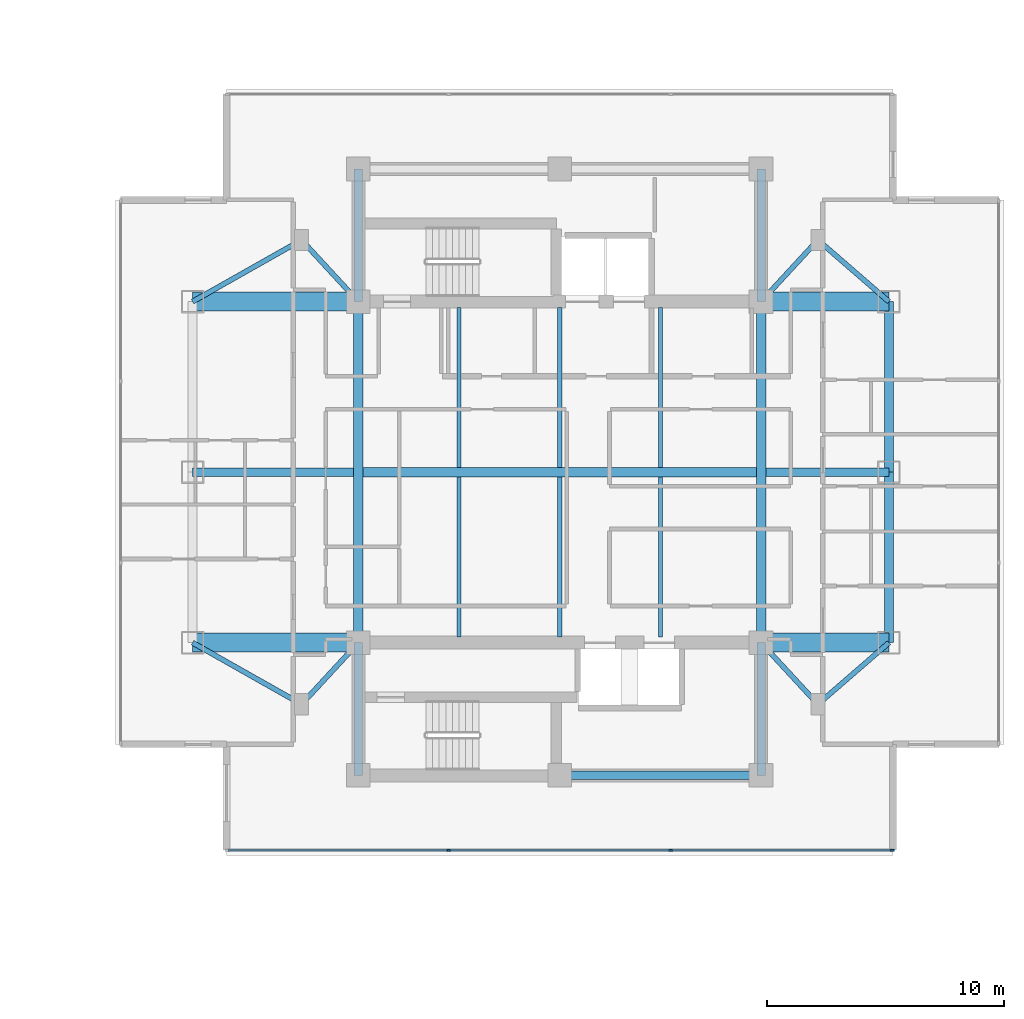
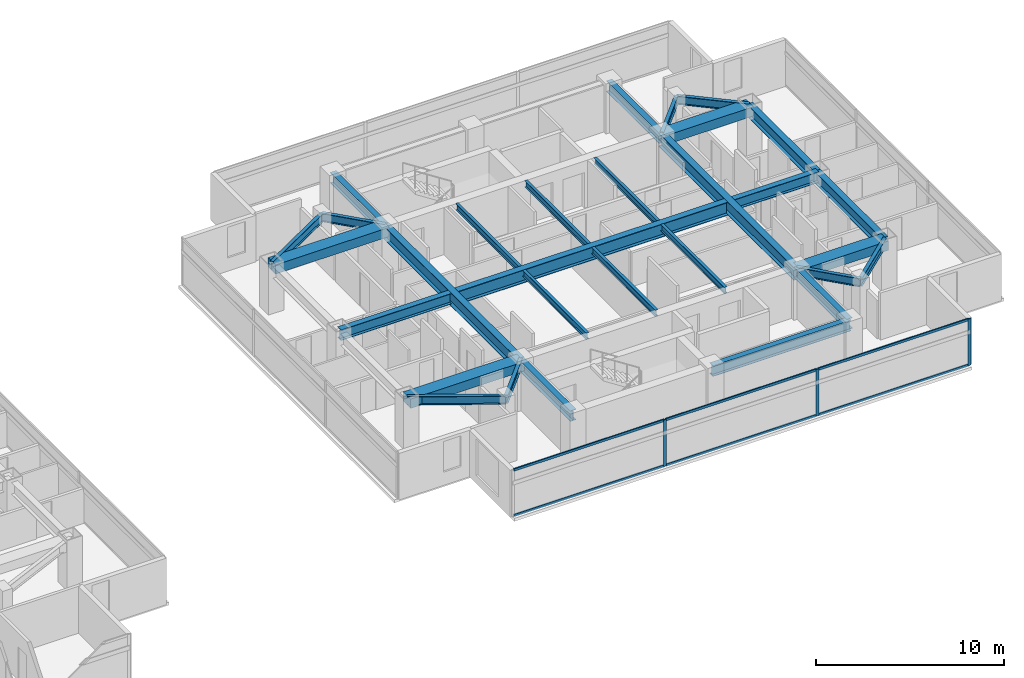
# One storey, part 8 of 25: 30 beams, 9 members, 1 element without a shape of its own.
"""IFC4 building model written with IfcOpenShell, lengths in metres."""

import ifcopenshell
import ifcopenshell.guid

model = None  # the IFC model being written
_history = None  # IfcOwnerHistory: only IFC2X3 demands one
_inside = {}  # id of a spatial element -> (the spatial element, [elements in it])
_under = {}  # id of a project, library or spatial element -> (it, [spatial elements below it])
_declared = {}  # id of a project -> (the project, [libraries it declares])
_typed = {}  # id of a type object -> (the type object, [elements of that type])
_made_of = {}  # id of a material, layer set ... -> (it, [elements and type objects made of it])


def new_model(schema):
    """Start an empty IFC model of exactly this schema.

    Asked for "IFC4X3", IfcOpenShell would pick the latest addendum, in which some entities
    have other attributes; the version numbers below select the first issue.
    IFC2X3 requires an IfcOwnerHistory on every rooted entity: one is made here for all.
    """
    global model, _history
    if schema == "IFC4X3":
        model = ifcopenshell.file(schema_version=(4, 3, 0, 0))
    else:
        model = ifcopenshell.file(schema=schema)
    _inside.clear()
    _under.clear()
    _declared.clear()
    _typed.clear()
    _made_of.clear()
    _history = None
    if model.schema == "IFC2X3":
        org = make("IfcOrganization", Name="unknown")
        user = make(
            "IfcPersonAndOrganization",
            ThePerson=make("IfcPerson", FamilyName="unknown"),
            TheOrganization=org,
        )
        app = make(
            "IfcApplication",
            ApplicationDeveloper=org,
            Version="unknown",
            ApplicationFullName="unknown",
            ApplicationIdentifier="unknown",
        )
        _history = make(
            "IfcOwnerHistory",
            OwningUser=user,
            OwningApplication=app,
            ChangeAction="ADDED",
            CreationDate=0,
        )
    return model


def make(cls, **values):
    """One entity of the class cls with the attributes given. An attribute that is None is left unset."""
    return model.create_entity(
        cls, **{name: value for name, value in values.items() if value is not None}
    )


def rooted(cls, **values):
    """An entity with a GlobalId (a new one), such as an element, a storey or a relation."""
    return make(cls, GlobalId=ifcopenshell.guid.new(), OwnerHistory=_history, **values)


def si_unit(unit_type, name, prefix=None):
    """IfcSIUnit, for example si_unit("LENGTHUNIT", "METRE", prefix="MILLI")."""
    return make("IfcSIUnit", UnitType=unit_type, Prefix=prefix, Name=name)


def assignment(units):
    """IfcUnitAssignment: the units of a project."""
    return None if units is None else make("IfcUnitAssignment", Units=units)


def point(xyz):
    """IfcCartesianPoint."""
    return None if xyz is None else make("IfcCartesianPoint", Coordinates=xyz)


def direction(xyz):
    """IfcDirection."""
    return None if xyz is None else make("IfcDirection", DirectionRatios=xyz)


def frame(location, z_axis=None, x_axis=None):
    """IfcAxis2Placement3D, a coordinate frame: its origin and axes. An axis left out is left unset."""
    return make(
        "IfcAxis2Placement3D",
        Location=point(location),
        Axis=direction(z_axis),
        RefDirection=direction(x_axis),
    )


def frame_2d(location, x_axis=None):
    """IfcAxis2Placement2D, a coordinate frame in the plane: its origin and x axis."""
    return make(
        "IfcAxis2Placement2D", Location=point(location), RefDirection=direction(x_axis)
    )


def origin():
    """The frame at (0, 0, 0) with its axes left unset."""
    return frame((0.0, 0.0, 0.0))


def origin_2d():
    """The frame at (0, 0) in the plane with its x axis left unset."""
    return frame_2d((0.0, 0.0))


def place(relative_to, where):
    """IfcLocalPlacement: puts the frame where relative to a parent placement (None: the world)."""
    return make(
        "IfcLocalPlacement", PlacementRelTo=relative_to, RelativePlacement=where
    )


def context(
    kind, dimensions, precision=None, world=None, true_north=None, identifier=None
):
    """IfcGeometricRepresentationContext, for example the 3D "Model" context."""
    return make(
        "IfcGeometricRepresentationContext",
        ContextIdentifier=identifier,
        ContextType=kind,
        CoordinateSpaceDimension=dimensions,
        Precision=precision,
        WorldCoordinateSystem=world,
        TrueNorth=true_north,
    )


def subcontext(parent, identifier, kind, view, scale=None):
    """IfcGeometricRepresentationSubContext, for example "Body" below "Model"."""
    return make(
        "IfcGeometricRepresentationSubContext",
        ContextIdentifier=identifier,
        ContextType=kind,
        ParentContext=parent,
        TargetScale=scale,
        TargetView=view,
    )


def project(units=None, contexts=None):
    """IfcProject with its units and contexts."""
    return rooted(
        "IfcProject",
        Name="project",
        RepresentationContexts=contexts,
        UnitsInContext=assignment(units),
    )


def spatial(cls, under=None, at=None, **own):
    """A site, building, storey or space (cls), placed at a placement, below another one or the project."""
    s = rooted(cls, ObjectPlacement=at, **own)
    if under is not None:
        _under.setdefault(under.id(), (under, []))[1].append(s)
    return s


def profile(cls, at=None, kind="AREA", **sizes):
    """A parametric profile (cls). Its sizes go by their IFC names, for example OverallWidth=200.0."""
    return make(cls, ProfileType=kind, Position=at, **sizes)


def rectangle(**sizes):
    """IfcRectangleProfileDef."""
    return profile("IfcRectangleProfileDef", **sizes)


def i_section(**sizes):
    """IfcIShapeProfileDef."""
    return profile("IfcIShapeProfileDef", **sizes)


def extrude(swept, where, along, depth):
    """IfcExtrudedAreaSolid: the profile swept, set in the frame where, extruded along a direction by depth."""
    return make(
        "IfcExtrudedAreaSolid",
        SweptArea=swept,
        Position=where,
        ExtrudedDirection=direction(along),
        Depth=depth,
    )


def shape(context_of_items, identifier, shape_type, items):
    """IfcShapeRepresentation: the items that make up one representation, for example the "Body"."""
    return make(
        "IfcShapeRepresentation",
        ContextOfItems=context_of_items,
        RepresentationIdentifier=identifier,
        RepresentationType=shape_type,
        Items=items,
    )


def material(Name=None, Category=None):
    """IfcMaterial."""
    return make("IfcMaterial", Name=Name, Category=Category)


def material_profile(
    of_material, cross_section, Name=None, Category=None, Priority=None
):
    """IfcMaterialProfile: a cross section and its material."""
    return make(
        "IfcMaterialProfile",
        Name=Name,
        Material=of_material,
        Profile=cross_section,
        Priority=Priority,
        Category=Category,
    )


def profile_set(profiles, Name=None, composite=None):
    """IfcMaterialProfileSet."""
    return make(
        "IfcMaterialProfileSet",
        Name=Name,
        MaterialProfiles=profiles,
        CompositeProfile=composite,
    )


def made_of(thing, what):
    """Note that an element or type object is made of a material, layer set ...; save() writes the relation."""
    if what is not None:
        _made_of.setdefault(what.id(), (what, []))[1].append(thing)
    return thing


def type_object(cls, material=None, **own):
    """A type object (cls), such as IfcWallType, which elements share."""
    return made_of(rooted(cls, **own), material)


def element(
    cls,
    number,
    at=None,
    inside=None,
    cuts=None,
    type_object=None,
    material=None,
    context=None,
    identifier="Body",
    shape_type=None,
    held_by="IfcProductDefinitionShape",
    body=None,
    shapes=None,
    **own,
):
    """One element of the class cls, such as IfcWall. Its Tag is "e" and its number.

    at: its placement. inside: the storey or other place that contains it. cuts: it is an
    opening in that element (IfcRelVoidsElement). A single representation is given by context,
    identifier, shape_type and body (its items); several are given by shapes. held_by: the class
    of the entity that holds the representations. save() writes the other relations.
    """
    e = rooted(cls, Tag="e%d" % number, ObjectPlacement=at, **own)
    if body is not None:
        shapes = [shape(context, identifier, shape_type, body)]
    if shapes is not None:
        e.Representation = make(held_by, Representations=shapes)
    if inside is not None:
        _inside.setdefault(inside.id(), (inside, []))[1].append(e)
    if cuts is not None:
        rooted(
            "IfcRelVoidsElement", RelatingBuildingElement=cuts, RelatedOpeningElement=e
        )
    if type_object is not None:
        _typed.setdefault(type_object.id(), (type_object, []))[1].append(e)
    return made_of(e, material)


def aggregate(whole, parts):
    """IfcRelAggregates: a whole, such as a stair, and the parts it consists of."""
    return rooted("IfcRelAggregates", RelatingObject=whole, RelatedObjects=parts)


def save(model, path):
    """Write the relations noted so far, then the file.

    IfcRelAggregates (storeys below a building ...), IfcRelContainedInSpatialStructure (elements
    in a storey), IfcRelDefinesByType, IfcRelAssociatesMaterial and IfcRelDeclares: one each for
    every whole, place, type object, material and project.
    """
    for whole, parts in _under.values():
        aggregate(whole, parts)
    for where, things in _inside.values():
        rooted(
            "IfcRelContainedInSpatialStructure",
            RelatedElements=things,
            RelatingStructure=where,
        )
    for kind, things in _typed.values():
        rooted("IfcRelDefinesByType", RelatedObjects=things, RelatingType=kind)
    for what, things in _made_of.values():
        rooted("IfcRelAssociatesMaterial", RelatedObjects=things, RelatingMaterial=what)
    for by, libraries in _declared.values():
        rooted("IfcRelDeclares", RelatingContext=by, RelatedDefinitions=libraries)
    model.write(path)


model = new_model("IFC4")

# Units and contexts
model_context = context("Model", 3, precision=1e-05, world=origin(), true_north=direction((0.0, 1.0)))
body_context = subcontext(model_context, "Body", "Model", "MODEL_VIEW")
ifc_project = project(units=[si_unit("LENGTHUNIT", "METRE"), si_unit("AREAUNIT", "SQUARE_METRE"), si_unit("VOLUMEUNIT", "CUBIC_METRE"), si_unit("PLANEANGLEUNIT", "RADIAN"), si_unit("MASSUNIT", "GRAM", prefix="KILO")], contexts=[model_context])

# Site, building, storey
site_placement = place(None, origin())
site = spatial("IfcSite", under=ifc_project, at=site_placement, CompositionType="ELEMENT")
building_placement = place(site_placement, origin())
building = spatial("IfcBuilding", under=site, at=building_placement, Name="Mirazonda Arch Towers", CompositionType="ELEMENT")
storey_placement = place(building_placement, frame((0.0, 0.0, 180.39990234375)))
storey = spatial("IfcBuildingStorey", under=building, at=storey_placement, Name="L51", CompositionType="ELEMENT", Elevation=180.39990234375)

# Beams
ifc_material_1 = material(Name="Steel ASTM A992 Grade 50", Category="steel")
ifc_material_profile_1 = material_profile(ifc_material_1, i_section(OverallWidth=0.381103515625, OverallDepth=0.77294921875, WebThickness=0.0166015625, FlangeThickness=0.027099609375, at=origin_2d()), Name="W30X173")
ifc_profile_set_1 = profile_set([ifc_material_profile_1], Name="Steel ASTM A992 Grade 50")
beam_type_1 = type_object("IfcBeamType", Name="BM-EXT-W30X173", PredefinedType="USERDEFINED", material=ifc_profile_set_1)
for number, where, z_axis, x_axis, name in (
    (1, (90.39990234375, 20.800048828125, 2.66357421875), (0.0, 1.0, 0.0), (-1.0, 0.0, 0.0), "L51 Floor Beam BM-T2-L51-NS-E-20"),
    (2, (90.39990234375, 28.0, 2.66357421875), (0.0, 1.0, 0.0), (-1.0, 0.0, 0.0), "L51 Floor Beam BM-T2-L51-NS-E-28"),
):
    element("IfcBeam", number, at=place(storey_placement, frame(where, z_axis=z_axis, x_axis=x_axis)), inside=storey, type_object=beam_type_1, Name=name, ObjectType="GIRDER", PredefinedType="USERDEFINED", context=body_context, shape_type="SweptSolid", body=[
        extrude(i_section(OverallWidth=0.381103515625, OverallDepth=0.77294921875, WebThickness=0.0166015625, FlangeThickness=0.027099609375, at=origin_2d()), origin(), (0.0, 0.0, 1.0), 7.199951171875),
    ])
ifc_material_profile_2 = material_profile(ifc_material_1, i_section(OverallWidth=0.180908203125, OverallDepth=0.4169921875, WebThickness=0.010986328125, FlangeThickness=0.018310546875, at=origin_2d()), Name="W16X57")
ifc_profile_set_2 = profile_set([ifc_material_profile_2], Name="Steel ASTM A992 Grade 50")
beam_type_2 = type_object("IfcBeamType", Name="BM-INT-W16X57", PredefinedType="JOIST", material=ifc_profile_set_2)
for number, where, z_axis, x_axis, name in (
    (3, (72.25, 21.0400390625, 2.841552734375), (0.0, 1.0, 0.0), (-1.0, 0.0, 0.0), "L51 Floor Beam BM-T2-L51-J-722-20"),
    (4, (72.25, 28.196044921875, 2.841552734375), (0.0, 1.0, 0.0), (-1.0, 0.0, 0.0), "L51 Floor Beam BM-T2-L51-J-722-28"),
    (5, (76.5, 21.0400390625, 2.841552734375), (0.0, 1.0, 0.0), (-1.0, 0.0, 0.0), "L51 Floor Beam BM-T2-L51-J-765-20"),
    (6, (76.5, 28.196044921875, 2.841552734375), (0.0, 1.0, 0.0), (-1.0, 0.0, 0.0), "L51 Floor Beam BM-T2-L51-J-765-28"),
    (7, (80.75, 21.0400390625, 2.841552734375), (0.0, 1.0, 0.0), (-1.0, 0.0, 0.0), "L51 Floor Beam BM-T2-L51-J-807-20"),
    (8, (80.75, 28.196044921875, 2.841552734375), (0.0, 1.0, 0.0), (-1.0, 0.0, 0.0), "L51 Floor Beam BM-T2-L51-J-807-28"),
):
    element("IfcBeam", number, at=place(storey_placement, frame(where, z_axis=z_axis, x_axis=x_axis)), inside=storey, type_object=beam_type_2, Name=name, PredefinedType="JOIST", context=body_context, shape_type="SweptSolid", body=[
        extrude(i_section(OverallWidth=0.180908203125, OverallDepth=0.4169921875, WebThickness=0.010986328125, FlangeThickness=0.018310546875, at=origin_2d()), origin(), (0.0, 0.0, 1.0), 6.763916015625),
    ])
ifc_material_profile_3 = material_profile(ifc_material_1, i_section(OverallWidth=0.214111328125, OverallDepth=0.549072265625, WebThickness=0.0146484375, FlangeThickness=0.023681640625, at=origin_2d()), Name="W21X93")
ifc_profile_set_3 = profile_set([ifc_material_profile_3], Name="Steel ASTM A992 Grade 50")
beam_type_3 = type_object("IfcBeamType", Name="BM-INT-W21X93", PredefinedType="BEAM", material=ifc_profile_set_3)
beam_1_placement = place(storey_placement, frame((65.60009765625, 18.199951171875, 2.775634765625), z_axis=(0.678251444854, 0.734829897019, 0.0), x_axis=(-0.734829897019, 0.678251444854, 0.0)))
element("IfcBeam", 9, at=beam_1_placement, inside=storey, type_object=beam_type_3, Name="L51 Floor Beam BM-T2-L51-PL-SW1", PredefinedType="BEAM", context=body_context, shape_type="SweptSolid", body=[
    extrude(i_section(OverallWidth=0.214111328125, OverallDepth=0.549072265625, WebThickness=0.0146484375, FlangeThickness=0.023681640625, at=origin_2d()), origin(), (0.0, 0.0, 1.0), 3.538330078125),
])
beam_2_placement = place(storey_placement, frame((65.60009765625, 18.199951171875, 2.775634765625), z_axis=(-0.870559396632, 0.492063346467, 0.0), x_axis=(-0.492063346467, -0.870559396632, 0.0)))
element("IfcBeam", 10, at=beam_2_placement, inside=storey, type_object=beam_type_3, Name="L51 Floor Beam BM-T2-L51-PL-SW2", PredefinedType="BEAM", context=body_context, shape_type="SweptSolid", body=[
    extrude(i_section(OverallWidth=0.214111328125, OverallDepth=0.549072265625, WebThickness=0.0146484375, FlangeThickness=0.023681640625, at=origin_2d()), origin(), (0.0, 0.0, 1.0), 5.2841796875),
])
beam_3_placement = place(storey_placement, frame((87.39990234375, 18.199951171875, 2.775634765625), z_axis=(-0.678251444854, 0.734829897019, 0.0), x_axis=(-0.734829897019, -0.678251444854, 0.0)))
element("IfcBeam", 11, at=beam_3_placement, inside=storey, type_object=beam_type_3, Name="L51 Floor Beam BM-T2-L51-PL-SE1", PredefinedType="BEAM", context=body_context, shape_type="SweptSolid", body=[
    extrude(i_section(OverallWidth=0.214111328125, OverallDepth=0.549072265625, WebThickness=0.0146484375, FlangeThickness=0.023681640625, at=origin_2d()), origin(), (0.0, 0.0, 1.0), 3.538330078125),
])
beam_4_placement = place(storey_placement, frame((87.39990234375, 18.199951171875, 2.775634765625), z_axis=(0.755676908098, 0.654944585876, 0.0), x_axis=(-0.654944585876, 0.755676908098, 0.0)))
element("IfcBeam", 12, at=beam_4_placement, inside=storey, type_object=beam_type_3, Name="L51 Floor Beam BM-T2-L51-PL-SE2", PredefinedType="BEAM", context=body_context, shape_type="SweptSolid", body=[
    extrude(i_section(OverallWidth=0.214111328125, OverallDepth=0.549072265625, WebThickness=0.0146484375, FlangeThickness=0.023681640625, at=origin_2d()), origin(), (0.0, 0.0, 1.0), 3.969970703125),
])
beam_5_placement = place(storey_placement, frame((65.60009765625, 37.800048828125, 2.775634765625), z_axis=(0.678251444854, -0.734829897019, 0.0), x_axis=(0.734829897019, 0.678251444854, 0.0)))
element("IfcBeam", 13, at=beam_5_placement, inside=storey, type_object=beam_type_3, Name="L51 Floor Beam BM-T2-L51-PL-NW1", PredefinedType="BEAM", context=body_context, shape_type="SweptSolid", body=[
    extrude(i_section(OverallWidth=0.214111328125, OverallDepth=0.549072265625, WebThickness=0.0146484375, FlangeThickness=0.023681640625, at=origin_2d()), origin(), (0.0, 0.0, 1.0), 3.538330078125),
])
beam_6_placement = place(storey_placement, frame((65.60009765625, 37.800048828125, 2.775634765625), z_axis=(-0.870559396632, -0.492063346467, 0.0), x_axis=(0.492063346467, -0.870559396632, 0.0)))
element("IfcBeam", 14, at=beam_6_placement, inside=storey, type_object=beam_type_3, Name="L51 Floor Beam BM-T2-L51-PL-NW2", PredefinedType="BEAM", context=body_context, shape_type="SweptSolid", body=[
    extrude(i_section(OverallWidth=0.214111328125, OverallDepth=0.549072265625, WebThickness=0.0146484375, FlangeThickness=0.023681640625, at=origin_2d()), origin(), (0.0, 0.0, 1.0), 5.2841796875),
])
beam_7_placement = place(storey_placement, frame((87.39990234375, 37.800048828125, 2.775634765625), z_axis=(-0.678251444854, -0.734829897019, 0.0), x_axis=(0.734829897019, -0.678251444854, 0.0)))
element("IfcBeam", 15, at=beam_7_placement, inside=storey, type_object=beam_type_3, Name="L51 Floor Beam BM-T2-L51-PL-NE1", PredefinedType="BEAM", context=body_context, shape_type="SweptSolid", body=[
    extrude(i_section(OverallWidth=0.214111328125, OverallDepth=0.549072265625, WebThickness=0.0146484375, FlangeThickness=0.023681640625, at=origin_2d()), origin(), (0.0, 0.0, 1.0), 3.538330078125),
])
beam_8_placement = place(storey_placement, frame((87.39990234375, 37.800048828125, 2.775634765625), z_axis=(0.755676908098, -0.654944585876, 0.0), x_axis=(0.654944585876, 0.755676908098, 0.0)))
element("IfcBeam", 16, at=beam_8_placement, inside=storey, type_object=beam_type_3, Name="L51 Floor Beam BM-T2-L51-PL-NE2", PredefinedType="BEAM", context=body_context, shape_type="SweptSolid", body=[
    extrude(i_section(OverallWidth=0.214111328125, OverallDepth=0.549072265625, WebThickness=0.0146484375, FlangeThickness=0.023681640625, at=origin_2d()), origin(), (0.0, 0.0, 1.0), 3.969970703125),
])
ifc_material_profile_4 = material_profile(ifc_material_1, i_section(OverallWidth=0.35498046875, OverallDepth=0.696044921875, WebThickness=0.015380859375, FlangeThickness=0.02490234375, at=origin_2d()), Name="W27X146")
ifc_profile_set_4 = profile_set([ifc_material_profile_4], Name="Steel ASTM A992 Grade 50")
beam_type_4 = type_object("IfcBeamType", Name="BM-INT-W27X146", PredefinedType="BEAM", material=ifc_profile_set_4)
beam_9_placement = place(storey_placement, frame((76.5, 15.199951171875, 2.7021484375), z_axis=(1.0, 0.0, 0.0), x_axis=(0.0, 1.0, 0.0)))
element("IfcBeam", 17, at=beam_9_placement, inside=storey, type_object=beam_type_4, Name="L51 Floor Beam BM-T2-L51-CS2", PredefinedType="BEAM", context=body_context, shape_type="SweptSolid", body=[
    extrude(i_section(OverallWidth=0.35498046875, OverallDepth=0.696044921875, WebThickness=0.015380859375, FlangeThickness=0.02490234375, at=origin_2d()), origin(), (0.0, 0.0, 1.0), 8.5),
])
for number, where, z_axis, x_axis, name in (
    (18, (68.0, 15.199951171875, 2.7021484375), (0.0, 1.0, 0.0), (-1.0, 0.0, 0.0), "L51 Floor Beam BM-T2-L51-CSW"),
    (19, (85.0, 15.199951171875, 2.7021484375), (0.0, 1.0, 0.0), (-1.0, 0.0, 0.0), "L51 Floor Beam BM-T2-L51-CSE"),
    (20, (68.0, 35.199951171875, 2.7021484375), (0.0, 1.0, 0.0), (-1.0, 0.0, 0.0), "L51 Floor Beam BM-T2-L51-CNW"),
    (21, (85.0, 35.199951171875, 2.7021484375), (0.0, 1.0, 0.0), (-1.0, 0.0, 0.0), "L51 Floor Beam BM-T2-L51-CNE"),
):
    element("IfcBeam", number, at=place(storey_placement, frame(where, z_axis=z_axis, x_axis=x_axis)), inside=storey, type_object=beam_type_4, Name=name, PredefinedType="BEAM", context=body_context, shape_type="SweptSolid", body=[
        extrude(i_section(OverallWidth=0.35498046875, OverallDepth=0.696044921875, WebThickness=0.015380859375, FlangeThickness=0.02490234375, at=origin_2d()), origin(), (0.0, 0.0, 1.0), 5.60009765625),
    ])
beam_10_placement = place(storey_placement, frame((61.0, 28.0, 2.7021484375), z_axis=(1.0, 0.0, 0.0), x_axis=(0.0, 1.0, 0.0)))
element("IfcBeam", 22, at=beam_10_placement, inside=storey, type_object=beam_type_4, Name="L51 Floor Beam BM-T2-L51-GW2", PredefinedType="BEAM", context=body_context, shape_type="SweptSolid", body=[
    extrude(i_section(OverallWidth=0.35498046875, OverallDepth=0.696044921875, WebThickness=0.015380859375, FlangeThickness=0.02490234375, at=origin_2d()), origin(), (0.0, 0.0, 1.0), 6.800048828125),
])
beam_11_placement = place(storey_placement, frame((85.199951171875, 28.0, 2.7021484375), z_axis=(1.0, 0.0, 0.0), x_axis=(0.0, 1.0, 0.0)))
element("IfcBeam", 23, at=beam_11_placement, inside=storey, type_object=beam_type_4, Name="L51 Floor Beam BM-T2-L51-GE2", PredefinedType="BEAM", context=body_context, shape_type="SweptSolid", body=[
    extrude(i_section(OverallWidth=0.35498046875, OverallDepth=0.696044921875, WebThickness=0.015380859375, FlangeThickness=0.02490234375, at=origin_2d()), origin(), (0.0, 0.0, 1.0), 5.199951171875),
])
ifc_material_profile_5 = material_profile(ifc_material_1, i_section(OverallWidth=0.39990234375, OverallDepth=0.85595703125, WebThickness=0.018310546875, FlangeThickness=0.029296875, at=origin_2d()), Name="W33X201")
ifc_profile_set_5 = profile_set([ifc_material_profile_5], Name="Steel ASTM A992 Grade 50")
beam_type_5 = type_object("IfcBeamType", Name="BM-INT-W33X201", PredefinedType="USERDEFINED", material=ifc_profile_set_5)
beam_12_placement = place(storey_placement, frame((68.199951171875, 28.0, 2.6220703125), z_axis=(1.0, 0.0, 0.0), x_axis=(0.0, 1.0, 0.0)))
element("IfcBeam", 24, at=beam_12_placement, inside=storey, type_object=beam_type_5, Name="L51 Floor Beam BM-T2-L51-GC2", ObjectType="GIRDER", PredefinedType="USERDEFINED", context=body_context, shape_type="SweptSolid", body=[
    extrude(i_section(OverallWidth=0.39990234375, OverallDepth=0.85595703125, WebThickness=0.018310546875, FlangeThickness=0.029296875, at=origin_2d()), origin(), (0.0, 0.0, 1.0), 16.60009765625),
])
for number, where, z_axis, x_axis, name in (
    (25, (68.0, 20.800048828125, 2.6220703125), (0.0, 1.0, 0.0), (-1.0, 0.0, 0.0), "L51 Floor Beam BM-T2-L51-NS-CW-FULL"),
    (26, (85.0, 20.800048828125, 2.6220703125), (0.0, 1.0, 0.0), (-1.0, 0.0, 0.0), "L51 Floor Beam BM-T2-L51-NS-CE-FULL"),
):
    element("IfcBeam", number, at=place(storey_placement, frame(where, z_axis=z_axis, x_axis=x_axis)), inside=storey, type_object=beam_type_5, Name=name, ObjectType="GIRDER", PredefinedType="USERDEFINED", context=body_context, shape_type="SweptSolid", body=[
        extrude(i_section(OverallWidth=0.39990234375, OverallDepth=0.85595703125, WebThickness=0.018310546875, FlangeThickness=0.029296875, at=origin_2d()), origin(), (0.0, 0.0, 1.0), 14.39990234375),
    ])
ifc_material_2 = material(Name="Concrete C60/75", Category="concrete")
ifc_material_profile_6 = material_profile(ifc_material_2, rectangle(XDim=0.800048828125, YDim=0.60009765625, at=origin_2d()), Name="RCCB800x600")
ifc_profile_set_6 = profile_set([ifc_material_profile_6], Name="Concrete C60/75")
beam_type_6 = type_object("IfcBeamType", Name="CB-INT-RCCB800x600", PredefinedType="SPANDREL", material=ifc_profile_set_6)
beam_13_placement = place(storey_placement, frame((61.0, 35.199951171875, 2.75), z_axis=(1.0, 0.0, 0.0), x_axis=(0.0, 1.0, 0.0)))
element("IfcBeam", 27, at=beam_13_placement, inside=storey, type_object=beam_type_6, Name="L51 Floor Beam CBC-T2-L51-NW", PredefinedType="SPANDREL", context=body_context, shape_type="SweptSolid", body=[
    extrude(rectangle(XDim=0.800048828125, YDim=0.60009765625, at=origin_2d()), origin(), (0.0, 0.0, 1.0), 7.0),
])
beam_14_placement = place(storey_placement, frame((85.0, 35.199951171875, 2.75), z_axis=(1.0, 0.0, 0.0), x_axis=(0.0, 1.0, 0.0)))
element("IfcBeam", 28, at=beam_14_placement, inside=storey, type_object=beam_type_6, Name="L51 Floor Beam CBC-T2-L51-NE", PredefinedType="SPANDREL", context=body_context, shape_type="SweptSolid", body=[
    extrude(rectangle(XDim=0.800048828125, YDim=0.60009765625, at=origin_2d()), origin(), (0.0, 0.0, 1.0), 5.39990234375),
])
beam_15_placement = place(storey_placement, frame((61.0, 20.800048828125, 2.75), z_axis=(1.0, 0.0, 0.0), x_axis=(0.0, 1.0, 0.0)))
element("IfcBeam", 29, at=beam_15_placement, inside=storey, type_object=beam_type_6, Name="L51 Floor Beam CBC-T2-L51-SW", PredefinedType="SPANDREL", context=body_context, shape_type="SweptSolid", body=[
    extrude(rectangle(XDim=0.800048828125, YDim=0.60009765625, at=origin_2d()), origin(), (0.0, 0.0, 1.0), 7.0),
])
beam_16_placement = place(storey_placement, frame((85.0, 20.800048828125, 2.75), z_axis=(1.0, 0.0, 0.0), x_axis=(0.0, 1.0, 0.0)))
element("IfcBeam", 30, at=beam_16_placement, inside=storey, type_object=beam_type_6, Name="L51 Floor Beam CBC-T2-L51-SE", PredefinedType="SPANDREL", context=body_context, shape_type="SweptSolid", body=[
    extrude(rectangle(XDim=0.800048828125, YDim=0.60009765625, at=origin_2d()), origin(), (0.0, 0.0, 1.0), 5.39990234375),
])

# Curtain wall, members
ifc_material_3 = material(Name="Anodised Aluminium and Low-E Glass", Category="aluminium")
curtain_wall_type = type_object("IfcCurtainWallType", Name="CW-RES-UNIT", PredefinedType="NOTDEFINED", material=ifc_material_3)
curtain_wall_placement = place(storey_placement, origin())
curtain_wall = element("IfcCurtainWall", 31, at=curtain_wall_placement, inside=storey, type_object=curtain_wall_type, Name="L51 T2 S Facade CW-L51-T2-S", PredefinedType="NOTDEFINED")
ifc_material_4 = material(Name="Anodised Aluminium Alloy", Category="aluminium")
ifc_material_profile_7 = material_profile(ifc_material_4, rectangle(XDim=0.074951171875, YDim=0.175048828125, at=origin_2d()), Name="ALU-MULL-75x175")
ifc_profile_set_7 = profile_set([ifc_material_profile_7], Name="Anodised Aluminium Alloy")
member_type_1 = type_object("IfcMemberType", Name="MULL-CW-RES-UNIT", PredefinedType="MULLION", material=ifc_profile_set_7)
member_1_placement = place(storey_placement, frame((90.53369140625, 12.0419921875, 0.0), z_axis=(0.0, 0.0, 1.0), x_axis=(0.0, -1.0, 0.0)))
member_1 = element("IfcMember", 32, at=member_1_placement, type_object=member_type_1, Name="CW-104 mullion 1", PredefinedType="MULLION", context=body_context, shape_type="SweptSolid", body=[
    extrude(rectangle(XDim=0.074951171875, YDim=0.175048828125, at=origin_2d()), origin(), (0.0, 0.0, 1.0), 3.030029296875),
])
member_2_placement = place(storey_placement, frame((81.1904296875, 12.0419921875, 0.0), z_axis=(0.0, 0.0, 1.0), x_axis=(0.0, -1.0, 0.0)))
member_2 = element("IfcMember", 33, at=member_2_placement, type_object=member_type_1, Name="CW-104 mullion 2", PredefinedType="MULLION", context=body_context, shape_type="SweptSolid", body=[
    extrude(rectangle(XDim=0.074951171875, YDim=0.175048828125, at=origin_2d()), origin(), (0.0, 0.0, 1.0), 3.030029296875),
])
member_3_placement = place(storey_placement, frame((71.8095703125, 12.0419921875, 0.0), z_axis=(0.0, 0.0, 1.0), x_axis=(0.0, -1.0, 0.0)))
member_3 = element("IfcMember", 34, at=member_3_placement, type_object=member_type_1, Name="CW-104 mullion 3", PredefinedType="MULLION", context=body_context, shape_type="SweptSolid", body=[
    extrude(rectangle(XDim=0.074951171875, YDim=0.175048828125, at=origin_2d()), origin(), (0.0, 0.0, 1.0), 3.030029296875),
])
ifc_material_profile_8 = material_profile(ifc_material_4, rectangle(XDim=0.074951171875, YDim=0.155029296875, at=origin_2d()), Name="ALU-TRAN-75x155")
ifc_profile_set_8 = profile_set([ifc_material_profile_8], Name="Anodised Aluminium Alloy")
member_type_2 = type_object("IfcMemberType", Name="TRAN-CW-RES-UNIT", PredefinedType="USERDEFINED", material=ifc_profile_set_8)
member_4_placement = place(storey_placement, frame((90.496337890625, 12.0419921875, 0.03759765625), z_axis=(-1.0, 0.0, 0.0), x_axis=(0.0, -1.0, 0.0)))
member_4 = element("IfcMember", 35, at=member_4_placement, type_object=member_type_2, Name="CW-104 transom 1.1", ObjectType="TRANSOM", PredefinedType="USERDEFINED", context=body_context, shape_type="SweptSolid", body=[
    extrude(rectangle(XDim=0.074951171875, YDim=0.155029296875, at=origin_2d()), origin(), (0.0, 0.0, 1.0), 9.268310546875),
])
member_5_placement = place(storey_placement, frame((90.496337890625, 12.0419921875, 2.99267578125), z_axis=(-1.0, 0.0, 0.0), x_axis=(0.0, -1.0, 0.0)))
member_5 = element("IfcMember", 36, at=member_5_placement, type_object=member_type_2, Name="CW-104 transom 1.2", ObjectType="TRANSOM", PredefinedType="USERDEFINED", context=body_context, shape_type="SweptSolid", body=[
    extrude(rectangle(XDim=0.074951171875, YDim=0.155029296875, at=origin_2d()), origin(), (0.0, 0.0, 1.0), 9.268310546875),
])
member_6_placement = place(storey_placement, frame((81.15283203125, 12.0419921875, 0.03759765625), z_axis=(-1.0, 0.0, 0.0), x_axis=(0.0, -1.0, 0.0)))
member_6 = element("IfcMember", 37, at=member_6_placement, type_object=member_type_2, Name="CW-104 transom 2.1", ObjectType="TRANSOM", PredefinedType="USERDEFINED", context=body_context, shape_type="SweptSolid", body=[
    extrude(rectangle(XDim=0.074951171875, YDim=0.155029296875, at=origin_2d()), origin(), (0.0, 0.0, 1.0), 9.3056640625),
])
member_7_placement = place(storey_placement, frame((81.15283203125, 12.0419921875, 2.99267578125), z_axis=(-1.0, 0.0, 0.0), x_axis=(0.0, -1.0, 0.0)))
member_7 = element("IfcMember", 38, at=member_7_placement, type_object=member_type_2, Name="CW-104 transom 2.2", ObjectType="TRANSOM", PredefinedType="USERDEFINED", context=body_context, shape_type="SweptSolid", body=[
    extrude(rectangle(XDim=0.074951171875, YDim=0.155029296875, at=origin_2d()), origin(), (0.0, 0.0, 1.0), 9.3056640625),
])
member_8_placement = place(storey_placement, frame((71.77197265625, 12.0419921875, 0.03759765625), z_axis=(-1.0, 0.0, 0.0), x_axis=(0.0, -1.0, 0.0)))
member_8 = element("IfcMember", 39, at=member_8_placement, type_object=member_type_2, Name="CW-104 transom 3.1", ObjectType="TRANSOM", PredefinedType="USERDEFINED", context=body_context, shape_type="SweptSolid", body=[
    extrude(rectangle(XDim=0.074951171875, YDim=0.155029296875, at=origin_2d()), origin(), (0.0, 0.0, 1.0), 9.268310546875),
])
member_9_placement = place(storey_placement, frame((71.77197265625, 12.0419921875, 2.99267578125), z_axis=(-1.0, 0.0, 0.0), x_axis=(0.0, -1.0, 0.0)))
member_9 = element("IfcMember", 40, at=member_9_placement, type_object=member_type_2, Name="CW-104 transom 3.2", ObjectType="TRANSOM", PredefinedType="USERDEFINED", context=body_context, shape_type="SweptSolid", body=[
    extrude(rectangle(XDim=0.074951171875, YDim=0.155029296875, at=origin_2d()), origin(), (0.0, 0.0, 1.0), 9.268310546875),
])
aggregate(curtain_wall, [member_1, member_2, member_3, member_4, member_5, member_6, member_7, member_8, member_9])

save(model, "model.ifc")
